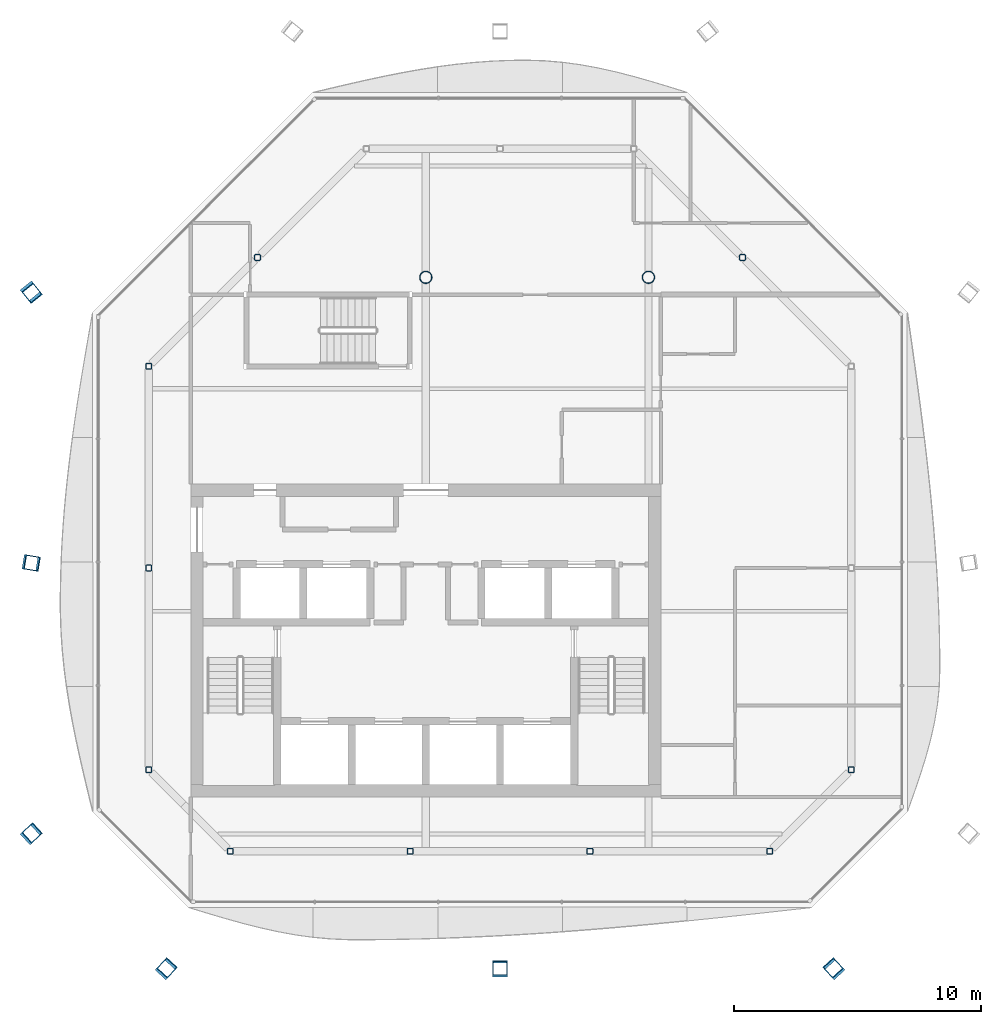
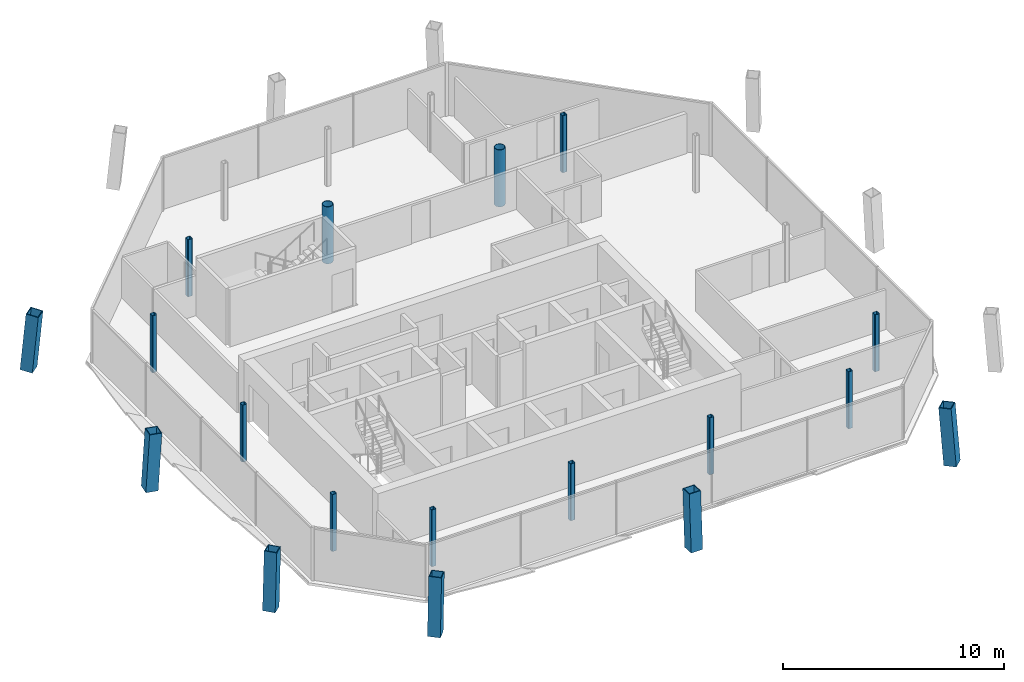
# One storey, part 1 of 14: 18 columns.
"""IFC4 building model written with IfcOpenShell, lengths in metres."""

from ifc_helpers import new_model, si_unit, direction, frame, origin, origin_2d, place, context, subcontext, project, spatial, hollow_rectangle, hollow_circle, extrude, material, material_profile, profile_set, type_object, element, save


model = new_model("IFC4")

# Units and contexts
model_context = context("Model", 3, precision=1e-05, world=origin(), true_north=direction((0.0, 1.0)))
body_context = subcontext(model_context, "Body", "Model", "MODEL_VIEW")
ifc_project = project(units=[si_unit("LENGTHUNIT", "METRE"), si_unit("AREAUNIT", "SQUARE_METRE"), si_unit("VOLUMEUNIT", "CUBIC_METRE"), si_unit("PLANEANGLEUNIT", "RADIAN"), si_unit("MASSUNIT", "GRAM", prefix="KILO")], contexts=[model_context])

# Site, building, storey
site_placement = place(None, origin())
site = spatial("IfcSite", under=ifc_project, at=site_placement, CompositionType="ELEMENT")
building_placement = place(site_placement, origin())
building = spatial("IfcBuilding", under=site, at=building_placement, Name="Tskaro Facet Tower", CompositionType="ELEMENT")
storey_placement = place(building_placement, frame((0.0, 0.0, 275.25)))
storey = spatial("IfcBuildingStorey", under=building, at=storey_placement, Name="L73", CompositionType="ELEMENT", Elevation=275.25)

# Columns
ifc_material_1 = material(Name="Steel S355J2", Category="steel")
ifc_material_profile_1 = material_profile(ifc_material_1, hollow_rectangle(XDim=0.60009765625, YDim=0.60009765625, WallThickness=0.0400390625, at=origin_2d()), Name="BOX 600x600x40")
ifc_profile_set_1 = profile_set([ifc_material_profile_1], Name="Steel S355J2")
column_type_1 = type_object("IfcColumnType", Name="BOX 600x600x40 mega column", PredefinedType="COLUMN", material=ifc_profile_set_1)
column_1_placement = place(storey_placement, frame((-10.52099609375, -18.97998046875, 0.0), z_axis=(0.052544673231, 0.057567325819, 0.996957902979), x_axis=(-0.73859280104, 0.674151818399, 0.0)))
element("IfcColumn", 1, at=column_1_placement, inside=storey, type_object=column_type_1, Name="BOX 600x600x40 MC01/6", PredefinedType="COLUMN", context=body_context, shape_type="SweptSolid", body=[
    extrude(hollow_rectangle(XDim=0.60009765625, YDim=0.60009765625, WallThickness=0.0400390625, at=origin_2d()), origin(), (0.0, 0.0, 1.0), 3.159423828125),
])
column_2_placement = place(storey_placement, frame((3.0, -18.97998046875, 0.0), z_axis=(0.0, 0.057646960801, 0.998337031223), x_axis=(-1.0, 0.0, 0.0)))
element("IfcColumn", 2, at=column_2_placement, inside=storey, type_object=column_type_1, Name="BOX 600x600x40 MC02/6", PredefinedType="COLUMN", context=body_context, shape_type="SweptSolid", body=[
    extrude(hollow_rectangle(XDim=0.60009765625, YDim=0.60009765625, WallThickness=0.0400390625, at=origin_2d()), origin(), (0.0, 0.0, 1.0), 3.155029296875),
])
column_3_placement = place(storey_placement, frame((16.52099609375, -18.97998046875, 0.0), z_axis=(-0.052544673231, 0.057567325819, 0.996957902979), x_axis=(-0.73859280104, -0.674151818399, 0.0)))
element("IfcColumn", 3, at=column_3_placement, inside=storey, type_object=column_type_1, Name="BOX 600x600x40 MC03/6", PredefinedType="COLUMN", context=body_context, shape_type="SweptSolid", body=[
    extrude(hollow_rectangle(XDim=0.60009765625, YDim=0.60009765625, WallThickness=0.0400390625, at=origin_2d()), origin(), (0.0, 0.0, 1.0), 3.159423828125),
])
column_4_placement = place(storey_placement, frame((-15.97998046875, 8.43994140625, 0.0), z_axis=(0.057498274883, -0.071776369988, 0.995762070525), x_axis=(0.780459274208, 0.625206622887, 0.0)))
element("IfcColumn", 4, at=column_4_placement, inside=storey, type_object=column_type_1, Name="BOX 600x600x40 MC10/6", PredefinedType="COLUMN", context=body_context, shape_type="SweptSolid", body=[
    extrude(hollow_rectangle(XDim=0.60009765625, YDim=0.60009765625, WallThickness=0.0400390625, at=origin_2d()), origin(), (0.0, 0.0, 1.0), 3.163330078125),
])
column_5_placement = place(storey_placement, frame((-15.97998046875, -2.541015625, 0.0), z_axis=(0.057644350039, -0.009517120879, 0.998291817716), x_axis=(0.162895476227, 0.986643331617, 0.0)))
element("IfcColumn", 5, at=column_5_placement, inside=storey, type_object=column_type_1, Name="BOX 600x600x40 MC11/6", PredefinedType="COLUMN", context=body_context, shape_type="SweptSolid", body=[
    extrude(hollow_rectangle(XDim=0.60009765625, YDim=0.60009765625, WallThickness=0.0400390625, at=origin_2d()), origin(), (0.0, 0.0, 1.0), 3.1552734375),
])
column_6_placement = place(storey_placement, frame((-15.97998046875, -13.52099609375, 0.0), z_axis=(0.057567325819, 0.052544673231, 0.996957902979), x_axis=(-0.674151818399, 0.73859280104, 0.0)))
element("IfcColumn", 6, at=column_6_placement, inside=storey, type_object=column_type_1, Name="BOX 600x600x40 MC12/6", PredefinedType="COLUMN", context=body_context, shape_type="SweptSolid", body=[
    extrude(hollow_rectangle(XDim=0.60009765625, YDim=0.60009765625, WallThickness=0.0400390625, at=origin_2d()), origin(), (0.0, 0.0, 1.0), 3.159423828125),
])
ifc_material_2 = material(Name="Steel S355J2H", Category="steel")
ifc_material_profile_2 = material_profile(ifc_material_2, hollow_circle(Radius=0.25390625, WallThickness=0.02490234375, at=origin_2d()), Name="CHS 508x25")
ifc_profile_set_2 = profile_set([ifc_material_profile_2], Name="Steel S355J2H")
column_type_2 = type_object("IfcColumnType", Name="CHS 508x25 interior column", PredefinedType="COLUMN", material=ifc_profile_set_2)
for number, where, z_axis, x_axis, name in (
    (7, (0.0, 9.0, 0.0), (0.0, 0.0, 1.0), (1.0, 0.0, 0.0), "CHS 508x25 C4E/6"),
    (8, (9.0, 9.0, 0.0), (0.0, 0.0, 1.0), (1.0, 0.0, 0.0), "CHS 508x25 C5E/6"),
):
    element("IfcColumn", number, at=place(storey_placement, frame(where, z_axis=z_axis, x_axis=x_axis)), inside=storey, type_object=column_type_2, Name=name, PredefinedType="COLUMN", context=body_context, shape_type="SweptSolid", body=[
        extrude(hollow_circle(Radius=0.25390625, WallThickness=0.02490234375, at=origin_2d()), origin(), (0.0, 0.0, 1.0), 3.14990234375),
    ])
ifc_material_profile_3 = material_profile(ifc_material_2, hollow_rectangle(XDim=0.25, YDim=0.25, WallThickness=0.02001953125, InnerFilletRadius=0.030029296875, OuterFilletRadius=0.050048828125, at=origin_2d()), Name="SHS 250x250x20")
ifc_profile_set_3 = profile_set([ifc_material_profile_3], Name="Steel S355J2H")
column_type_3 = type_object("IfcColumnType", Name="SHS 250x250x20 ring column", PredefinedType="COLUMN", material=ifc_profile_set_3)
for number, where, z_axis, x_axis, name in (
    (9, (-7.903076171875, -14.199951171875, 0.0), (0.0, 0.0, 1.0), (1.0, 0.0, 0.0), "SHS 250x250x20 RS-1/6"),
    (10, (-0.634033203125, -14.199951171875, 0.0), (0.0, 0.0, 1.0), (1.0, 0.0, 0.0), "SHS 250x250x20 RS-2/6"),
    (11, (6.634033203125, -14.199951171875, 0.0), (0.0, 0.0, 1.0), (1.0, 0.0, 0.0), "SHS 250x250x20 RS-3/6"),
    (12, (13.903076171875, -14.199951171875, 0.0), (0.0, 0.0, 1.0), (1.0, 0.0, 0.0), "SHS 250x250x20 RSE-1/6"),
    (13, (17.199951171875, -10.903076171875, 0.0), (0.0, 0.0, 1.0), (1.0, 0.0, 0.0), "SHS 250x250x20 RE-1/6"),
    (14, (12.802001953125, 9.802001953125, 0.0), (0.0, 0.0, 1.0), (1.0, 0.0, 0.0), "SHS 250x250x20 RNE-2/6"),
    (15, (-6.801025390625, 9.801025390625, 0.0), (0.0, 0.0, 1.0), (1.0, 0.0, 0.0), "SHS 250x250x20 RNW-2/6"),
    (16, (-11.199951171875, 5.403076171875, 0.0), (0.0, 0.0, 1.0), (1.0, 0.0, 0.0), "SHS 250x250x20 RW-1/6"),
    (17, (-11.199951171875, -2.75, 0.0), (0.0, 0.0, 1.0), (1.0, 0.0, 0.0), "SHS 250x250x20 RW-2/6"),
    (18, (-11.199951171875, -10.903076171875, 0.0), (0.0, 0.0, 1.0), (1.0, 0.0, 0.0), "SHS 250x250x20 RSW-1/6"),
):
    element("IfcColumn", number, at=place(storey_placement, frame(where, z_axis=z_axis, x_axis=x_axis)), inside=storey, type_object=column_type_3, Name=name, PredefinedType="COLUMN", context=body_context, shape_type="SweptSolid", body=[
        extrude(hollow_rectangle(XDim=0.25, YDim=0.25, WallThickness=0.02001953125, InnerFilletRadius=0.030029296875, OuterFilletRadius=0.050048828125, at=origin_2d()), origin(), (0.0, 0.0, 1.0), 3.14990234375),
    ])

save(model, "model.ifc")
